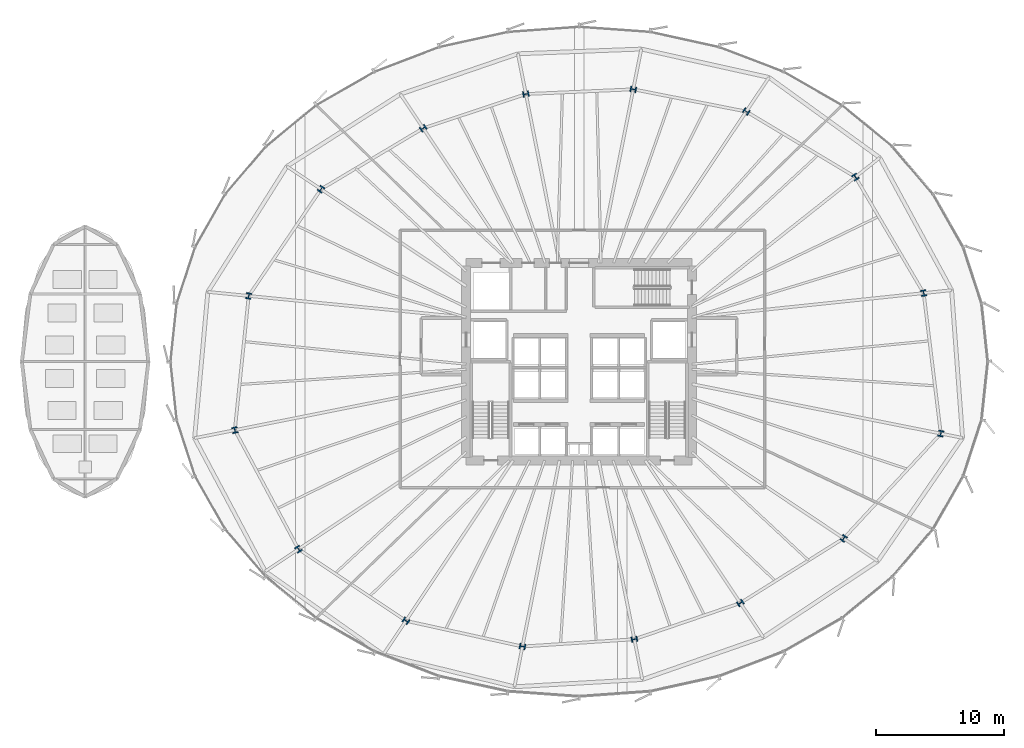
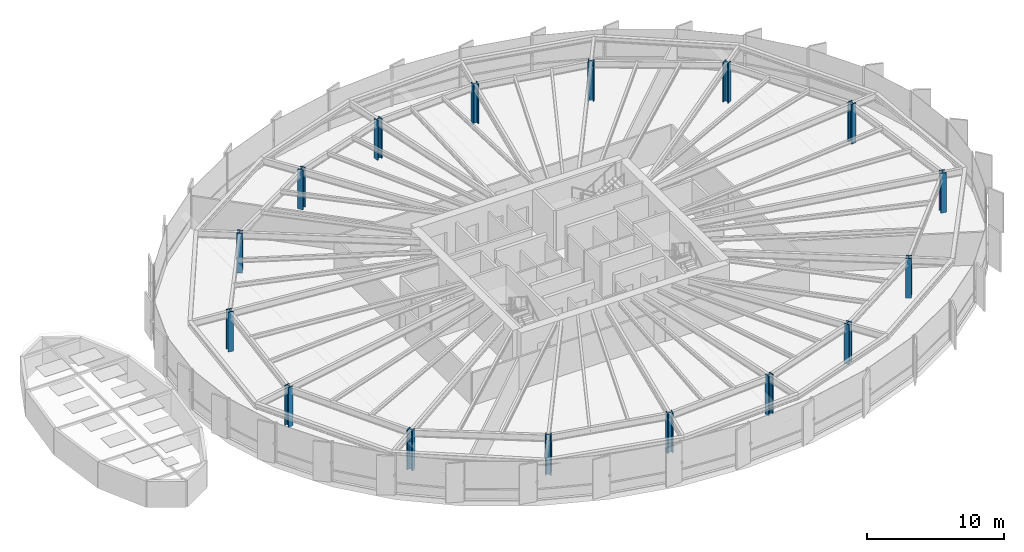
# One storey, part 1 of 38: 16 columns.
"""IFC4 building model written with IfcOpenShell, lengths in metres."""

from ifc_helpers import new_model, si_unit, direction, frame, origin, origin_2d, place, context, subcontext, project, spatial, i_section, extrude, source, transform, mapped, material, material_profile, profile_set, type_object, element, save


model = new_model("IFC4")

# Units and contexts
model_context = context("Model", 3, precision=1e-05, world=origin(), true_north=direction((0.0, 1.0)))
body_context = subcontext(model_context, "Body", "Model", "MODEL_VIEW")
ifc_project = project(units=[si_unit("LENGTHUNIT", "METRE"), si_unit("AREAUNIT", "SQUARE_METRE"), si_unit("VOLUMEUNIT", "CUBIC_METRE"), si_unit("PLANEANGLEUNIT", "RADIAN"), si_unit("MASSUNIT", "GRAM", prefix="KILO"), si_unit("THERMODYNAMICTEMPERATUREUNIT", "KELVIN")], contexts=[model_context])

# Site, building, storey
site_placement = place(None, origin())
site = spatial("IfcSite", under=ifc_project, at=site_placement, CompositionType="ELEMENT")
building_placement = place(site_placement, origin())
building = spatial("IfcBuilding", under=site, at=building_placement, Name="Kethvar Cultural Tower", CompositionType="ELEMENT")
storey_placement = place(building_placement, frame((0.0, 0.0, 29.60009765625)))
storey = spatial("IfcBuildingStorey", under=building, at=storey_placement, Name="L06", CompositionType="ELEMENT", Elevation=29.60009765625)

# Columns
ifc_material = material(Name="Steel S460M", Category="steel")
ifc_material_profile = material_profile(ifc_material, i_section(OverallWidth=0.423095703125, OverallDepth=0.468994140625, WebThickness=0.051025390625, FlangeThickness=0.0810546875, FilletRadius=0.014892578125, at=origin_2d()), Name="Steel S460M — HD400x1086")
ifc_profile_set = profile_set([ifc_material_profile], Name="Steel S460M — HD400x1086")
column_type = type_object("IfcColumnType", Name="COL-HD1086", PredefinedType="COLUMN", material=ifc_profile_set)
shared_shape = source(origin(), body_context, "Body", "SweptSolid", [
    extrude(i_section(OverallWidth=0.423095703125, OverallDepth=0.468994140625, WebThickness=0.051025390625, FlangeThickness=0.0810546875, FilletRadius=0.014892578125, at=origin_2d()), origin(), (0.0, 0.0, 1.0), 3.5498046875),
])
for number, where, z_axis, x_axis, name in (
    (1, (73.65673828125, 33.14208984375, 0.0), (0.0, 0.0, 1.0), (0.980785280403, 0.195090322016, 0.0), "L06 Mega-Column MC-01"),
    (2, (68.33642578125, 42.190185546875, 0.0), (0.0, 0.0, 1.0), (0.831469612303, 0.55557023302, 0.0), "L06 Mega-Column MC-02"),
    (3, (59.824951171875, 47.293212890625, 0.0), (0.0, 0.0, 1.0), (0.55557023302, 0.831469612303, 0.0), "L06 Mega-Column MC-03"),
    (4, (51.022216796875, 49.02587890625, 0.0), (0.0, 0.0, 1.0), (0.195090322016, 0.980785280403, 0.0), "L06 Mega-Column MC-04"),
    (5, (42.651611328125, 48.65576171875, 0.0), (0.0, 0.0, 1.0), (-0.195090322016, 0.980785280403, 0.0), "L06 Mega-Column MC-05"),
    (6, (34.64599609375, 45.98974609375, 0.0), (0.0, 0.0, 1.0), (-0.55557023302, 0.831469612303, 0.0), "L06 Mega-Column MC-06"),
    (7, (26.6845703125, 41.24072265625, 0.0), (0.0, 0.0, 1.0), (-0.831469612303, 0.55557023302, 0.0), "L06 Mega-Column MC-07"),
    (8, (21.047119140625, 32.922607421875, 0.0), (0.0, 0.0, 1.0), (-0.980785280403, 0.195090322016, 0.0), "L06 Mega-Column MC-08"),
    (9, (19.9658203125, 22.46240234375, 0.0), (0.0, 0.0, 1.0), (-0.980785280403, -0.195090322016, 0.0), "L06 Mega-Column MC-09"),
    (10, (24.9248046875, 13.183349609375, 0.0), (0.0, 0.0, 1.0), (-0.831469612303, -0.55557023302, 0.0), "L06 Mega-Column MC-10"),
    (11, (33.302001953125, 7.598876953125, 0.0), (0.0, 0.0, 1.0), (-0.55557023302, -0.831469612303, 0.0), "L06 Mega-Column MC-11"),
    (12, (42.38330078125, 5.59619140625, 0.0), (0.0, 0.0, 1.0), (-0.195090322016, -0.980785280403, 0.0), "L06 Mega-Column MC-12"),
    (13, (51.10400390625, 6.16259765625, 0.0), (0.0, 0.0, 1.0), (0.195090322016, -0.980785280403, 0.0), "L06 Mega-Column MC-13"),
    (14, (59.370361328125, 8.987060546875, 0.0), (0.0, 0.0, 1.0), (0.55557023302, -0.831469612303, 0.0), "L06 Mega-Column MC-14"),
    (15, (67.41845703125, 14.023193359375, 0.0), (0.0, 0.0, 1.0), (0.831469612303, -0.55557023302, 0.0), "L06 Mega-Column MC-15"),
    (16, (74.9912109375, 22.1923828125, 0.0), (0.0, 0.0, 1.0), (0.980785280403, -0.195090322016, 0.0), "L06 Mega-Column MC-16"),
):
    element("IfcColumn", number, at=place(storey_placement, frame(where, z_axis=z_axis, x_axis=x_axis)), inside=storey, type_object=column_type, Name=name, PredefinedType="COLUMN", context=body_context, shape_type="MappedRepresentation", body=[
        mapped(shared_shape, transform((0.0, 0.0, 0.0), scale=1.0)),
    ])

save(model, "model.ifc")
